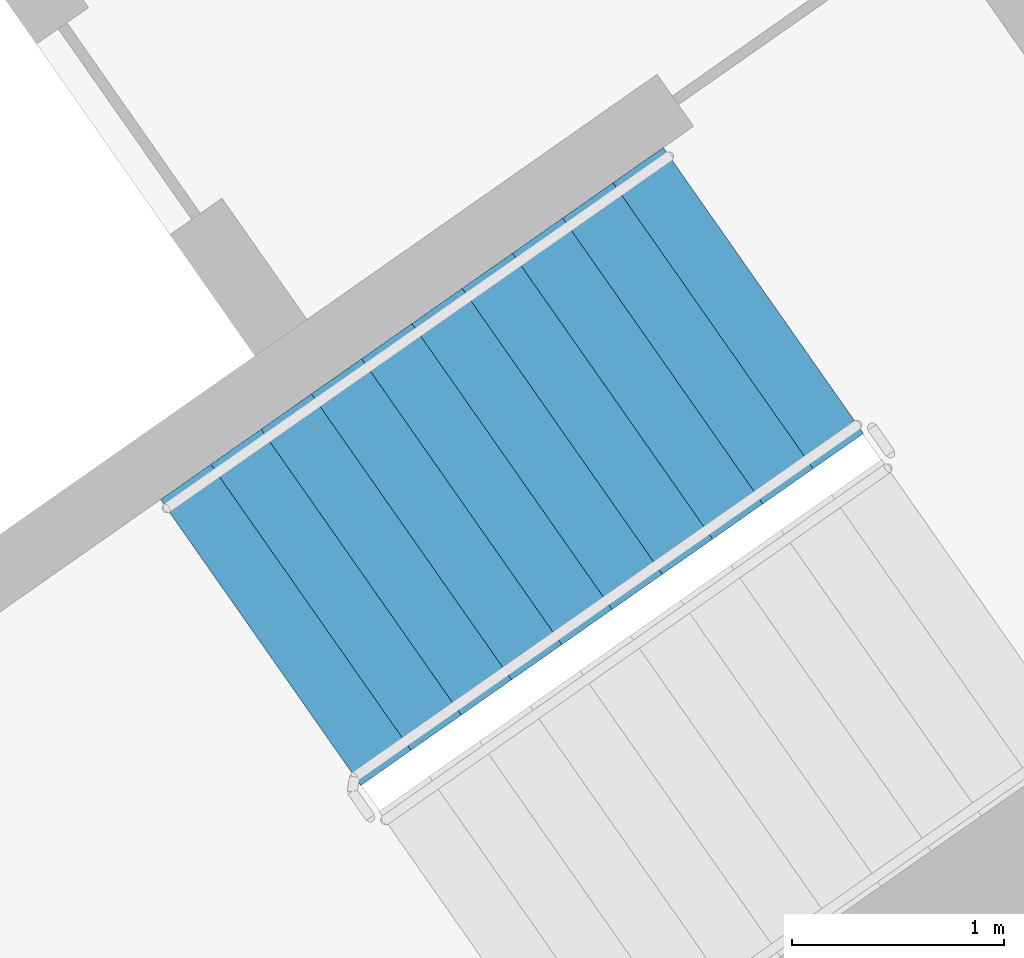
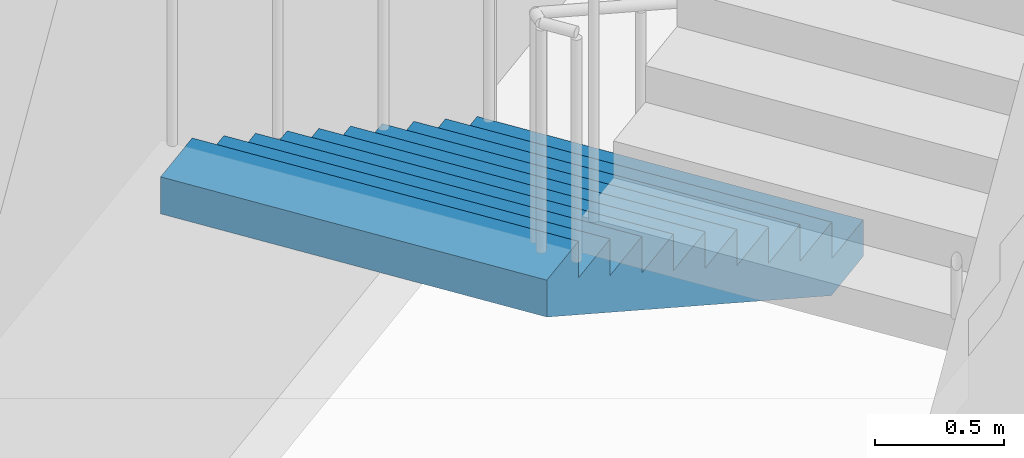
# One storey, part 16 of 26: 1 stair flight, 1 element without a shape of its own.
"""IFC4 building model written with IfcOpenShell, lengths in metres."""

from ifc_helpers import new_model, si_unit, direction, frame, origin, place, context, subcontext, project, spatial, faceted_brep, material, type_object, element, aggregate, save


model = new_model("IFC4")

# Units and contexts
model_context = context("Model", 3, precision=1e-05, world=origin(), true_north=direction((0.0, 1.0)))
body_context = subcontext(model_context, "Body", "Model", "MODEL_VIEW")
ifc_project = project(units=[si_unit("LENGTHUNIT", "METRE"), si_unit("AREAUNIT", "SQUARE_METRE"), si_unit("VOLUMEUNIT", "CUBIC_METRE"), si_unit("PLANEANGLEUNIT", "RADIAN"), si_unit("MASSUNIT", "GRAM", prefix="KILO")], contexts=[model_context])

# Site, building, storey
site_placement = place(None, origin())
site = spatial("IfcSite", under=ifc_project, at=site_placement, CompositionType="ELEMENT")
building_placement = place(site_placement, origin())
building = spatial("IfcBuilding", under=site, at=building_placement, Name="Qamariyya Broadcast Tower", CompositionType="ELEMENT")
storey_placement = place(building_placement, frame((0.0, 0.0, 183.5)))
storey = spatial("IfcBuildingStorey", under=building, at=storey_placement, Name="L43", CompositionType="ELEMENT", Elevation=183.5)

# Stair, stair flight
ifc_material = material(Name="Concrete C50/60", Category="concrete")
stair_type = type_object("IfcStairType", Name="Exit stair 22 risers of 173 mm", PredefinedType="HALF_TURN_STAIR", material=ifc_material)
stair_placement = place(storey_placement, origin())
stair = element("IfcStair", 1, at=stair_placement, inside=storey, type_object=stair_type, Name="L43 Stair E1", PredefinedType="HALF_TURN_STAIR")
stair_flight_type = type_object("IfcStairFlightType", Name="Exit stair flight 11 risers of 173 mm", PredefinedType="STRAIGHT", material=ifc_material)
stair_flight_placement = place(storey_placement, frame((46.036376953125, -55.508056640625, 0.0), z_axis=(0.0, 0.0, 1.0), x_axis=(-0.819152044289, -0.573576436351, 0.0)))
stair_flight = element("IfcStairFlight", 2, at=stair_flight_placement, type_object=stair_flight_type, Name="ST-E1 flight 1", NumberOfRisers=11, NumberOfTreads=10, PredefinedType="STRAIGHT", RiserHeight=0.172727273, TreadLength=0.29, context=body_context, shape_type="Brep", body=[
    faceted_brep([(0.0, 0.824951171875, 0.0), (0.0, 0.824951171875, 0.172607421875), (0.2900390625, 0.824951171875, 0.172607421875), (0.2900390625, 0.824951171875, 0.345458984375), (0.580078125, 0.824951171875, 0.345458984375), (0.580078125, 0.824951171875, 0.51806640625), (0.8701171875, 0.824951171875, 0.51806640625), (0.8701171875, 0.824951171875, 0.69091796875), (1.159912109375, 0.824951171875, 0.69091796875), (1.159912109375, 0.824951171875, 0.863525390625), (1.449951171875, 0.824951171875, 0.863525390625), (1.449951171875, 0.824951171875, 1.036376953125), (1.739990234375, 0.824951171875, 1.036376953125), (1.739990234375, 0.824951171875, 1.208984375), (2.030029296875, 0.824951171875, 1.208984375), (2.030029296875, 0.824951171875, 1.3818359375), (2.320068359375, 0.824951171875, 1.3818359375), (2.320068359375, 0.824951171875, 1.554443359375), (2.610107421875, 0.824951171875, 1.554443359375), (2.610107421875, 0.824951171875, 1.727294921875), (2.89990234375, 0.824951171875, 1.727294921875), (2.89990234375, 0.824951171875, 1.552734375), (0.29296875, 0.824951171875, 0.0), (0.29296875, -0.824951171875, 0.0), (2.89990234375, -0.824951171875, 1.552734375), (2.89990234375, -0.824951171875, 1.727294921875), (2.610107421875, -0.824951171875, 1.727294921875), (2.610107421875, -0.824951171875, 1.554443359375), (2.320068359375, -0.824951171875, 1.554443359375), (2.320068359375, -0.824951171875, 1.3818359375), (2.030029296875, -0.824951171875, 1.3818359375), (2.030029296875, -0.824951171875, 1.208984375), (1.739990234375, -0.824951171875, 1.208984375), (1.739990234375, -0.824951171875, 1.036376953125), (1.449951171875, -0.824951171875, 1.036376953125), (1.449951171875, -0.824951171875, 0.863525390625), (1.159912109375, -0.824951171875, 0.863525390625), (1.159912109375, -0.824951171875, 0.69091796875), (0.8701171875, -0.824951171875, 0.69091796875), (0.8701171875, -0.824951171875, 0.51806640625), (0.580078125, -0.824951171875, 0.51806640625), (0.580078125, -0.824951171875, 0.345458984375), (0.2900390625, -0.824951171875, 0.345458984375), (0.2900390625, -0.824951171875, 0.172607421875), (0.0, -0.824951171875, 0.172607421875), (0.0, -0.824951171875, 0.0), (0.0, 0.10009765625, 0.0), (0.0, 0.086669921875, 0.0), (0.0, 0.0732421875, 0.0), (0.0, 0.06005859375, 0.0), (0.0, 0.046630859375, 0.0), (0.0, 0.033447265625, 0.0), (0.0, 0.02001953125, 0.0), (0.0, 0.006591796875, 0.0), (0.0, -0.006591796875, 0.0), (0.0, -0.02001953125, 0.0), (0.0, -0.033447265625, 0.0), (0.0, -0.046630859375, 0.0), (0.0, -0.06005859375, 0.0), (0.0, -0.0732421875, 0.0), (0.0, -0.086669921875, 0.0), (0.0, -0.10009765625, 0.0), (0.0, -0.10009765625, 0.172607421875), (0.0, -0.086669921875, 0.172607421875), (0.0, -0.0732421875, 0.172607421875), (0.0, -0.06005859375, 0.172607421875), (0.0, -0.046630859375, 0.172607421875), (0.0, -0.033447265625, 0.172607421875), (0.0, -0.02001953125, 0.172607421875), (0.0, -0.006591796875, 0.172607421875), (0.0, 0.006591796875, 0.172607421875), (0.0, 0.02001953125, 0.172607421875), (0.0, 0.033447265625, 0.172607421875), (0.0, 0.046630859375, 0.172607421875), (0.0, 0.06005859375, 0.172607421875), (0.0, 0.0732421875, 0.172607421875), (0.0, 0.086669921875, 0.172607421875), (0.0, 0.10009765625, 0.172607421875), (0.2900390625, -0.10009765625, 0.172607421875), (0.2900390625, -0.086669921875, 0.172607421875), (0.2900390625, -0.0732421875, 0.172607421875), (0.2900390625, -0.06005859375, 0.172607421875), (0.2900390625, -0.046630859375, 0.172607421875), (0.2900390625, -0.033447265625, 0.172607421875), (0.2900390625, -0.02001953125, 0.172607421875), (0.2900390625, -0.006591796875, 0.172607421875), (0.2900390625, 0.006591796875, 0.172607421875), (0.2900390625, 0.02001953125, 0.172607421875), (0.2900390625, 0.033447265625, 0.172607421875), (0.2900390625, 0.046630859375, 0.172607421875), (0.2900390625, 0.06005859375, 0.172607421875), (0.2900390625, 0.0732421875, 0.172607421875), (0.2900390625, 0.086669921875, 0.172607421875), (0.2900390625, 0.10009765625, 0.172607421875), (0.2900390625, -0.10009765625, 0.345458984375), (0.2900390625, -0.086669921875, 0.345458984375), (0.2900390625, -0.0732421875, 0.345458984375), (0.2900390625, -0.06005859375, 0.345458984375), (0.2900390625, -0.046630859375, 0.345458984375), (0.2900390625, -0.033447265625, 0.345458984375), (0.2900390625, -0.02001953125, 0.345458984375), (0.2900390625, -0.006591796875, 0.345458984375), (0.2900390625, 0.006591796875, 0.345458984375), (0.2900390625, 0.02001953125, 0.345458984375), (0.2900390625, 0.033447265625, 0.345458984375), (0.2900390625, 0.046630859375, 0.345458984375), (0.2900390625, 0.06005859375, 0.345458984375), (0.2900390625, 0.0732421875, 0.345458984375), (0.2900390625, 0.086669921875, 0.345458984375), (0.2900390625, 0.10009765625, 0.345458984375), (0.580078125, -0.10009765625, 0.345458984375), (0.580078125, -0.086669921875, 0.345458984375), (0.580078125, -0.0732421875, 0.345458984375), (0.580078125, -0.06005859375, 0.345458984375), (0.580078125, -0.046630859375, 0.345458984375), (0.580078125, -0.033447265625, 0.345458984375), (0.580078125, -0.02001953125, 0.345458984375), (0.580078125, -0.006591796875, 0.345458984375), (0.580078125, 0.006591796875, 0.345458984375), (0.580078125, 0.02001953125, 0.345458984375), (0.580078125, 0.033447265625, 0.345458984375), (0.580078125, 0.046630859375, 0.345458984375), (0.580078125, 0.06005859375, 0.345458984375), (0.580078125, 0.0732421875, 0.345458984375), (0.580078125, 0.086669921875, 0.345458984375), (0.580078125, 0.10009765625, 0.345458984375), (0.580078125, -0.10009765625, 0.51806640625), (0.580078125, -0.086669921875, 0.51806640625), (0.580078125, -0.0732421875, 0.51806640625), (0.580078125, -0.06005859375, 0.51806640625), (0.580078125, -0.046630859375, 0.51806640625), (0.580078125, -0.033447265625, 0.51806640625), (0.580078125, -0.02001953125, 0.51806640625), (0.580078125, -0.006591796875, 0.51806640625), (0.580078125, 0.006591796875, 0.51806640625), (0.580078125, 0.02001953125, 0.51806640625), (0.580078125, 0.033447265625, 0.51806640625), (0.580078125, 0.046630859375, 0.51806640625), (0.580078125, 0.06005859375, 0.51806640625), (0.580078125, 0.0732421875, 0.51806640625), (0.580078125, 0.086669921875, 0.51806640625), (0.580078125, 0.10009765625, 0.51806640625), (0.8701171875, -0.10009765625, 0.51806640625), (0.8701171875, -0.086669921875, 0.51806640625), (0.8701171875, -0.0732421875, 0.51806640625), (0.8701171875, -0.06005859375, 0.51806640625), (0.8701171875, -0.046630859375, 0.51806640625), (0.8701171875, -0.033447265625, 0.51806640625), (0.8701171875, -0.02001953125, 0.51806640625), (0.8701171875, -0.006591796875, 0.51806640625), (0.8701171875, 0.006591796875, 0.51806640625), (0.8701171875, 0.02001953125, 0.51806640625), (0.8701171875, 0.033447265625, 0.51806640625), (0.8701171875, 0.046630859375, 0.51806640625), (0.8701171875, 0.06005859375, 0.51806640625), (0.8701171875, 0.0732421875, 0.51806640625), (0.8701171875, 0.086669921875, 0.51806640625), (0.8701171875, 0.10009765625, 0.51806640625), (0.8701171875, -0.10009765625, 0.69091796875), (0.8701171875, -0.086669921875, 0.69091796875), (0.8701171875, -0.0732421875, 0.69091796875), (0.8701171875, -0.06005859375, 0.69091796875), (0.8701171875, -0.046630859375, 0.69091796875), (0.8701171875, -0.033447265625, 0.69091796875), (0.8701171875, -0.02001953125, 0.69091796875), (0.8701171875, -0.006591796875, 0.69091796875), (0.8701171875, 0.006591796875, 0.69091796875), (0.8701171875, 0.02001953125, 0.69091796875), (0.8701171875, 0.033447265625, 0.69091796875), (0.8701171875, 0.046630859375, 0.69091796875), (0.8701171875, 0.06005859375, 0.69091796875), (0.8701171875, 0.0732421875, 0.69091796875), (0.8701171875, 0.086669921875, 0.69091796875), (0.8701171875, 0.10009765625, 0.69091796875), (1.159912109375, -0.10009765625, 0.69091796875), (1.159912109375, -0.086669921875, 0.69091796875), (1.159912109375, -0.0732421875, 0.69091796875), (1.159912109375, -0.06005859375, 0.69091796875), (1.159912109375, -0.046630859375, 0.69091796875), (1.159912109375, -0.033447265625, 0.69091796875), (1.159912109375, -0.02001953125, 0.69091796875), (1.159912109375, -0.006591796875, 0.69091796875), (1.159912109375, 0.006591796875, 0.69091796875), (1.159912109375, 0.02001953125, 0.69091796875), (1.159912109375, 0.033447265625, 0.69091796875), (1.159912109375, 0.046630859375, 0.69091796875), (1.159912109375, 0.06005859375, 0.69091796875), (1.159912109375, 0.0732421875, 0.69091796875), (1.159912109375, 0.086669921875, 0.69091796875), (1.159912109375, 0.10009765625, 0.69091796875), (1.159912109375, -0.10009765625, 0.863525390625), (1.159912109375, -0.086669921875, 0.863525390625), (1.159912109375, -0.0732421875, 0.863525390625), (1.159912109375, -0.06005859375, 0.863525390625), (1.159912109375, -0.046630859375, 0.863525390625), (1.159912109375, -0.033447265625, 0.863525390625), (1.159912109375, -0.02001953125, 0.863525390625), (1.159912109375, -0.006591796875, 0.863525390625), (1.159912109375, 0.006591796875, 0.863525390625), (1.159912109375, 0.02001953125, 0.863525390625), (1.159912109375, 0.033447265625, 0.863525390625), (1.159912109375, 0.046630859375, 0.863525390625), (1.159912109375, 0.06005859375, 0.863525390625), (1.159912109375, 0.0732421875, 0.863525390625), (1.159912109375, 0.086669921875, 0.863525390625), (1.159912109375, 0.10009765625, 0.863525390625), (1.449951171875, -0.10009765625, 0.863525390625), (1.449951171875, -0.086669921875, 0.863525390625), (1.449951171875, -0.0732421875, 0.863525390625), (1.449951171875, -0.06005859375, 0.863525390625), (1.449951171875, -0.046630859375, 0.863525390625), (1.449951171875, -0.033447265625, 0.863525390625), (1.449951171875, -0.02001953125, 0.863525390625), (1.449951171875, -0.006591796875, 0.863525390625), (1.449951171875, 0.006591796875, 0.863525390625), (1.449951171875, 0.02001953125, 0.863525390625), (1.449951171875, 0.033447265625, 0.863525390625), (1.449951171875, 0.046630859375, 0.863525390625), (1.449951171875, 0.06005859375, 0.863525390625), (1.449951171875, 0.0732421875, 0.863525390625), (1.449951171875, 0.086669921875, 0.863525390625), (1.449951171875, 0.10009765625, 0.863525390625), (1.449951171875, -0.10009765625, 1.036376953125), (1.449951171875, -0.086669921875, 1.036376953125), (1.449951171875, -0.0732421875, 1.036376953125), (1.449951171875, -0.06005859375, 1.036376953125), (1.449951171875, -0.046630859375, 1.036376953125), (1.449951171875, -0.033447265625, 1.036376953125), (1.449951171875, -0.02001953125, 1.036376953125), (1.449951171875, -0.006591796875, 1.036376953125), (1.449951171875, 0.006591796875, 1.036376953125), (1.449951171875, 0.02001953125, 1.036376953125), (1.449951171875, 0.033447265625, 1.036376953125), (1.449951171875, 0.046630859375, 1.036376953125), (1.449951171875, 0.06005859375, 1.036376953125), (1.449951171875, 0.0732421875, 1.036376953125), (1.449951171875, 0.086669921875, 1.036376953125), (1.449951171875, 0.10009765625, 1.036376953125), (1.739990234375, -0.10009765625, 1.036376953125), (1.739990234375, -0.086669921875, 1.036376953125), (1.739990234375, -0.0732421875, 1.036376953125), (1.739990234375, -0.06005859375, 1.036376953125), (1.739990234375, -0.046630859375, 1.036376953125), (1.739990234375, -0.033447265625, 1.036376953125), (1.739990234375, -0.02001953125, 1.036376953125), (1.739990234375, -0.006591796875, 1.036376953125), (1.739990234375, 0.006591796875, 1.036376953125), (1.739990234375, 0.02001953125, 1.036376953125), (1.739990234375, 0.033447265625, 1.036376953125), (1.739990234375, 0.046630859375, 1.036376953125), (1.739990234375, 0.06005859375, 1.036376953125), (1.739990234375, 0.0732421875, 1.036376953125), (1.739990234375, 0.086669921875, 1.036376953125), (1.739990234375, 0.10009765625, 1.036376953125), (1.739990234375, -0.10009765625, 1.208984375), (1.739990234375, -0.086669921875, 1.208984375), (1.739990234375, -0.0732421875, 1.208984375), (1.739990234375, -0.06005859375, 1.208984375), (1.739990234375, -0.046630859375, 1.208984375), (1.739990234375, -0.033447265625, 1.208984375), (1.739990234375, -0.02001953125, 1.208984375), (1.739990234375, -0.006591796875, 1.208984375), (1.739990234375, 0.006591796875, 1.208984375), (1.739990234375, 0.02001953125, 1.208984375), (1.739990234375, 0.033447265625, 1.208984375), (1.739990234375, 0.046630859375, 1.208984375), (1.739990234375, 0.06005859375, 1.208984375), (1.739990234375, 0.0732421875, 1.208984375), (1.739990234375, 0.086669921875, 1.208984375), (1.739990234375, 0.10009765625, 1.208984375), (2.030029296875, -0.10009765625, 1.208984375), (2.030029296875, -0.086669921875, 1.208984375), (2.030029296875, -0.0732421875, 1.208984375), (2.030029296875, -0.06005859375, 1.208984375), (2.030029296875, -0.046630859375, 1.208984375), (2.030029296875, -0.033447265625, 1.208984375), (2.030029296875, -0.02001953125, 1.208984375), (2.030029296875, -0.006591796875, 1.208984375), (2.030029296875, 0.006591796875, 1.208984375), (2.030029296875, 0.02001953125, 1.208984375), (2.030029296875, 0.033447265625, 1.208984375), (2.030029296875, 0.046630859375, 1.208984375), (2.030029296875, 0.06005859375, 1.208984375), (2.030029296875, 0.0732421875, 1.208984375), (2.030029296875, 0.086669921875, 1.208984375), (2.030029296875, 0.10009765625, 1.208984375), (2.030029296875, -0.10009765625, 1.3818359375), (2.030029296875, -0.086669921875, 1.3818359375), (2.030029296875, -0.0732421875, 1.3818359375), (2.030029296875, -0.06005859375, 1.3818359375), (2.030029296875, -0.046630859375, 1.3818359375), (2.030029296875, -0.033447265625, 1.3818359375), (2.030029296875, -0.02001953125, 1.3818359375), (2.030029296875, -0.006591796875, 1.3818359375), (2.030029296875, 0.006591796875, 1.3818359375), (2.030029296875, 0.02001953125, 1.3818359375), (2.030029296875, 0.033447265625, 1.3818359375), (2.030029296875, 0.046630859375, 1.3818359375), (2.030029296875, 0.06005859375, 1.3818359375), (2.030029296875, 0.0732421875, 1.3818359375), (2.030029296875, 0.086669921875, 1.3818359375), (2.030029296875, 0.10009765625, 1.3818359375), (2.320068359375, -0.10009765625, 1.3818359375), (2.320068359375, -0.086669921875, 1.3818359375), (2.320068359375, -0.0732421875, 1.3818359375), (2.320068359375, -0.06005859375, 1.3818359375), (2.320068359375, -0.046630859375, 1.3818359375), (2.320068359375, -0.033447265625, 1.3818359375), (2.320068359375, -0.02001953125, 1.3818359375), (2.320068359375, -0.006591796875, 1.3818359375), (2.320068359375, 0.006591796875, 1.3818359375), (2.320068359375, 0.02001953125, 1.3818359375), (2.320068359375, 0.033447265625, 1.3818359375), (2.320068359375, 0.046630859375, 1.3818359375), (2.320068359375, 0.06005859375, 1.3818359375), (2.320068359375, 0.0732421875, 1.3818359375), (2.320068359375, 0.086669921875, 1.3818359375), (2.320068359375, 0.10009765625, 1.3818359375), (2.320068359375, -0.10009765625, 1.554443359375), (2.320068359375, -0.086669921875, 1.554443359375), (2.320068359375, -0.0732421875, 1.554443359375), (2.320068359375, -0.06005859375, 1.554443359375), (2.320068359375, -0.046630859375, 1.554443359375), (2.320068359375, -0.033447265625, 1.554443359375), (2.320068359375, -0.02001953125, 1.554443359375), (2.320068359375, -0.006591796875, 1.554443359375), (2.320068359375, 0.006591796875, 1.554443359375), (2.320068359375, 0.02001953125, 1.554443359375), (2.320068359375, 0.033447265625, 1.554443359375), (2.320068359375, 0.046630859375, 1.554443359375), (2.320068359375, 0.06005859375, 1.554443359375), (2.320068359375, 0.0732421875, 1.554443359375), (2.320068359375, 0.086669921875, 1.554443359375), (2.320068359375, 0.10009765625, 1.554443359375), (2.610107421875, -0.10009765625, 1.554443359375), (2.610107421875, -0.086669921875, 1.554443359375), (2.610107421875, -0.0732421875, 1.554443359375), (2.610107421875, -0.06005859375, 1.554443359375), (2.610107421875, -0.046630859375, 1.554443359375), (2.610107421875, -0.033447265625, 1.554443359375), (2.610107421875, -0.02001953125, 1.554443359375), (2.610107421875, -0.006591796875, 1.554443359375), (2.610107421875, 0.006591796875, 1.554443359375), (2.610107421875, 0.02001953125, 1.554443359375), (2.610107421875, 0.033447265625, 1.554443359375), (2.610107421875, 0.046630859375, 1.554443359375), (2.610107421875, 0.06005859375, 1.554443359375), (2.610107421875, 0.0732421875, 1.554443359375), (2.610107421875, 0.086669921875, 1.554443359375), (2.610107421875, 0.10009765625, 1.554443359375), (2.610107421875, -0.10009765625, 1.727294921875), (2.610107421875, -0.086669921875, 1.727294921875), (2.610107421875, -0.0732421875, 1.727294921875), (2.610107421875, -0.06005859375, 1.727294921875), (2.610107421875, -0.046630859375, 1.727294921875), (2.610107421875, -0.033447265625, 1.727294921875), (2.610107421875, -0.02001953125, 1.727294921875), (2.610107421875, -0.006591796875, 1.727294921875), (2.610107421875, 0.006591796875, 1.727294921875), (2.610107421875, 0.02001953125, 1.727294921875), (2.610107421875, 0.033447265625, 1.727294921875), (2.610107421875, 0.046630859375, 1.727294921875), (2.610107421875, 0.06005859375, 1.727294921875), (2.610107421875, 0.0732421875, 1.727294921875), (2.610107421875, 0.086669921875, 1.727294921875), (2.610107421875, 0.10009765625, 1.727294921875), (2.89990234375, -0.10009765625, 1.727294921875), (2.89990234375, -0.086669921875, 1.727294921875), (2.89990234375, -0.0732421875, 1.727294921875), (2.89990234375, -0.06005859375, 1.727294921875), (2.89990234375, -0.046630859375, 1.727294921875), (2.89990234375, -0.033447265625, 1.727294921875), (2.89990234375, -0.02001953125, 1.727294921875), (2.89990234375, -0.006591796875, 1.727294921875), (2.89990234375, 0.006591796875, 1.727294921875), (2.89990234375, 0.02001953125, 1.727294921875), (2.89990234375, 0.033447265625, 1.727294921875), (2.89990234375, 0.046630859375, 1.727294921875), (2.89990234375, 0.06005859375, 1.727294921875), (2.89990234375, 0.0732421875, 1.727294921875), (2.89990234375, 0.086669921875, 1.727294921875), (2.89990234375, 0.10009765625, 1.727294921875), (2.89990234375, -0.10009765625, 1.552734375), (2.89990234375, -0.086669921875, 1.552734375), (2.89990234375, -0.0732421875, 1.552734375), (2.89990234375, -0.06005859375, 1.552734375), (2.89990234375, -0.046630859375, 1.552734375), (2.89990234375, -0.033447265625, 1.552734375), (2.89990234375, -0.02001953125, 1.552734375), (2.89990234375, -0.006591796875, 1.552734375), (2.89990234375, 0.006591796875, 1.552734375), (2.89990234375, 0.02001953125, 1.552734375), (2.89990234375, 0.033447265625, 1.552734375), (2.89990234375, 0.046630859375, 1.552734375), (2.89990234375, 0.06005859375, 1.552734375), (2.89990234375, 0.0732421875, 1.552734375), (2.89990234375, 0.086669921875, 1.552734375), (2.89990234375, 0.10009765625, 1.552734375), (0.29296875, -0.10009765625, 0.0), (0.29296875, -0.086669921875, 0.0), (0.29296875, -0.0732421875, 0.0), (0.29296875, -0.06005859375, 0.0), (0.29296875, -0.046630859375, 0.0), (0.29296875, -0.033447265625, 0.0), (0.29296875, -0.02001953125, 0.0), (0.29296875, -0.006591796875, 0.0), (0.29296875, 0.006591796875, 0.0), (0.29296875, 0.02001953125, 0.0), (0.29296875, 0.033447265625, 0.0), (0.29296875, 0.046630859375, 0.0), (0.29296875, 0.06005859375, 0.0), (0.29296875, 0.0732421875, 0.0), (0.29296875, 0.086669921875, 0.0), (0.29296875, 0.10009765625, 0.0)], [[[0, 1, 2, 3, 4, 5, 6, 7, 8, 9, 10, 11, 12, 13, 14, 15, 16, 17, 18, 19, 20, 21, 22]], [[23, 24, 25, 26, 27, 28, 29, 30, 31, 32, 33, 34, 35, 36, 37, 38, 39, 40, 41, 42, 43, 44, 45]], [[0, 46, 47, 48, 49, 50, 51, 52, 53, 54, 55, 56, 57, 58, 59, 60, 61, 45, 44, 62, 63, 64, 65, 66, 67, 68, 69, 70, 71, 72, 73, 74, 75, 76, 77, 1]], [[1, 77, 76, 75, 74, 73, 72, 71, 70, 69, 68, 67, 66, 65, 64, 63, 62, 44, 43, 78, 79, 80, 81, 82, 83, 84, 85, 86, 87, 88, 89, 90, 91, 92, 93, 2]], [[2, 93, 92, 91, 90, 89, 88, 87, 86, 85, 84, 83, 82, 81, 80, 79, 78, 43, 42, 94, 95, 96, 97, 98, 99, 100, 101, 102, 103, 104, 105, 106, 107, 108, 109, 3]], [[3, 109, 108, 107, 106, 105, 104, 103, 102, 101, 100, 99, 98, 97, 96, 95, 94, 42, 41, 110, 111, 112, 113, 114, 115, 116, 117, 118, 119, 120, 121, 122, 123, 124, 125, 4]], [[4, 125, 124, 123, 122, 121, 120, 119, 118, 117, 116, 115, 114, 113, 112, 111, 110, 41, 40, 126, 127, 128, 129, 130, 131, 132, 133, 134, 135, 136, 137, 138, 139, 140, 141, 5]], [[5, 141, 140, 139, 138, 137, 136, 135, 134, 133, 132, 131, 130, 129, 128, 127, 126, 40, 39, 142, 143, 144, 145, 146, 147, 148, 149, 150, 151, 152, 153, 154, 155, 156, 157, 6]], [[6, 157, 156, 155, 154, 153, 152, 151, 150, 149, 148, 147, 146, 145, 144, 143, 142, 39, 38, 158, 159, 160, 161, 162, 163, 164, 165, 166, 167, 168, 169, 170, 171, 172, 173, 7]], [[7, 173, 172, 171, 170, 169, 168, 167, 166, 165, 164, 163, 162, 161, 160, 159, 158, 38, 37, 174, 175, 176, 177, 178, 179, 180, 181, 182, 183, 184, 185, 186, 187, 188, 189, 8]], [[8, 189, 188, 187, 186, 185, 184, 183, 182, 181, 180, 179, 178, 177, 176, 175, 174, 37, 36, 190, 191, 192, 193, 194, 195, 196, 197, 198, 199, 200, 201, 202, 203, 204, 205, 9]], [[9, 205, 204, 203, 202, 201, 200, 199, 198, 197, 196, 195, 194, 193, 192, 191, 190, 36, 35, 206, 207, 208, 209, 210, 211, 212, 213, 214, 215, 216, 217, 218, 219, 220, 221, 10]], [[10, 221, 220, 219, 218, 217, 216, 215, 214, 213, 212, 211, 210, 209, 208, 207, 206, 35, 34, 222, 223, 224, 225, 226, 227, 228, 229, 230, 231, 232, 233, 234, 235, 236, 237, 11]], [[11, 237, 236, 235, 234, 233, 232, 231, 230, 229, 228, 227, 226, 225, 224, 223, 222, 34, 33, 238, 239, 240, 241, 242, 243, 244, 245, 246, 247, 248, 249, 250, 251, 252, 253, 12]], [[12, 253, 252, 251, 250, 249, 248, 247, 246, 245, 244, 243, 242, 241, 240, 239, 238, 33, 32, 254, 255, 256, 257, 258, 259, 260, 261, 262, 263, 264, 265, 266, 267, 268, 269, 13]], [[13, 269, 268, 267, 266, 265, 264, 263, 262, 261, 260, 259, 258, 257, 256, 255, 254, 32, 31, 270, 271, 272, 273, 274, 275, 276, 277, 278, 279, 280, 281, 282, 283, 284, 285, 14]], [[14, 285, 284, 283, 282, 281, 280, 279, 278, 277, 276, 275, 274, 273, 272, 271, 270, 31, 30, 286, 287, 288, 289, 290, 291, 292, 293, 294, 295, 296, 297, 298, 299, 300, 301, 15]], [[15, 301, 300, 299, 298, 297, 296, 295, 294, 293, 292, 291, 290, 289, 288, 287, 286, 30, 29, 302, 303, 304, 305, 306, 307, 308, 309, 310, 311, 312, 313, 314, 315, 316, 317, 16]], [[16, 317, 316, 315, 314, 313, 312, 311, 310, 309, 308, 307, 306, 305, 304, 303, 302, 29, 28, 318, 319, 320, 321, 322, 323, 324, 325, 326, 327, 328, 329, 330, 331, 332, 333, 17]], [[17, 333, 332, 331, 330, 329, 328, 327, 326, 325, 324, 323, 322, 321, 320, 319, 318, 28, 27, 334, 335, 336, 337, 338, 339, 340, 341, 342, 343, 344, 345, 346, 347, 348, 349, 18]], [[18, 349, 348, 347, 346, 345, 344, 343, 342, 341, 340, 339, 338, 337, 336, 335, 334, 27, 26, 350, 351, 352, 353, 354, 355, 356, 357, 358, 359, 360, 361, 362, 363, 364, 365, 19]], [[19, 365, 364, 363, 362, 361, 360, 359, 358, 357, 356, 355, 354, 353, 352, 351, 350, 26, 25, 366, 367, 368, 369, 370, 371, 372, 373, 374, 375, 376, 377, 378, 379, 380, 381, 20]], [[20, 381, 380, 379, 378, 377, 376, 375, 374, 373, 372, 371, 370, 369, 368, 367, 366, 25, 24, 382, 383, 384, 385, 386, 387, 388, 389, 390, 391, 392, 393, 394, 395, 396, 397, 21]], [[21, 397, 396, 395, 394, 393, 392, 391, 390, 389, 388, 387, 386, 385, 384, 383, 382, 24, 23, 398, 399, 400, 401, 402, 403, 404, 405, 406, 407, 408, 409, 410, 411, 412, 413, 22]], [[22, 413, 412, 411, 410, 409, 408, 407, 406, 405, 404, 403, 402, 401, 400, 399, 398, 23, 45, 61, 60, 59, 58, 57, 56, 55, 54, 53, 52, 51, 50, 49, 48, 47, 46, 0]]]),
])
aggregate(stair, [stair_flight])

save(model, "model.ifc")
